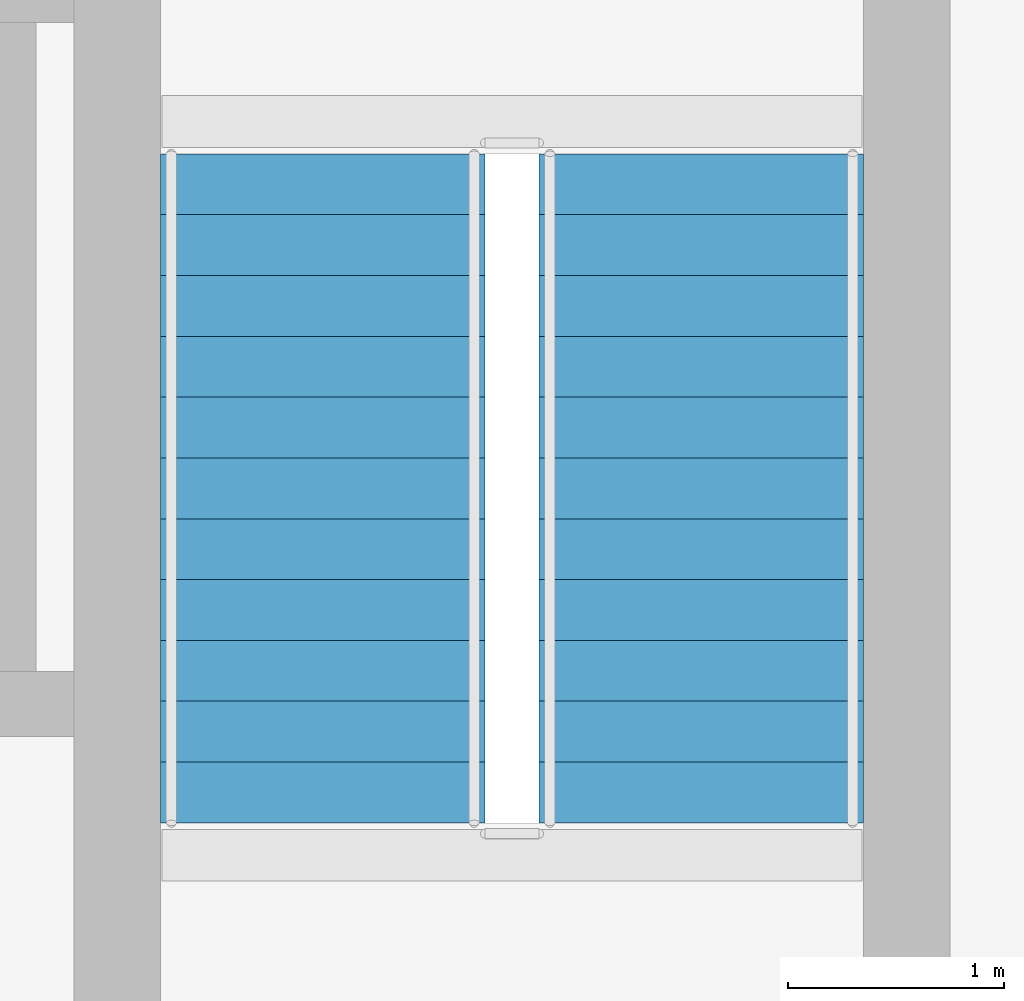
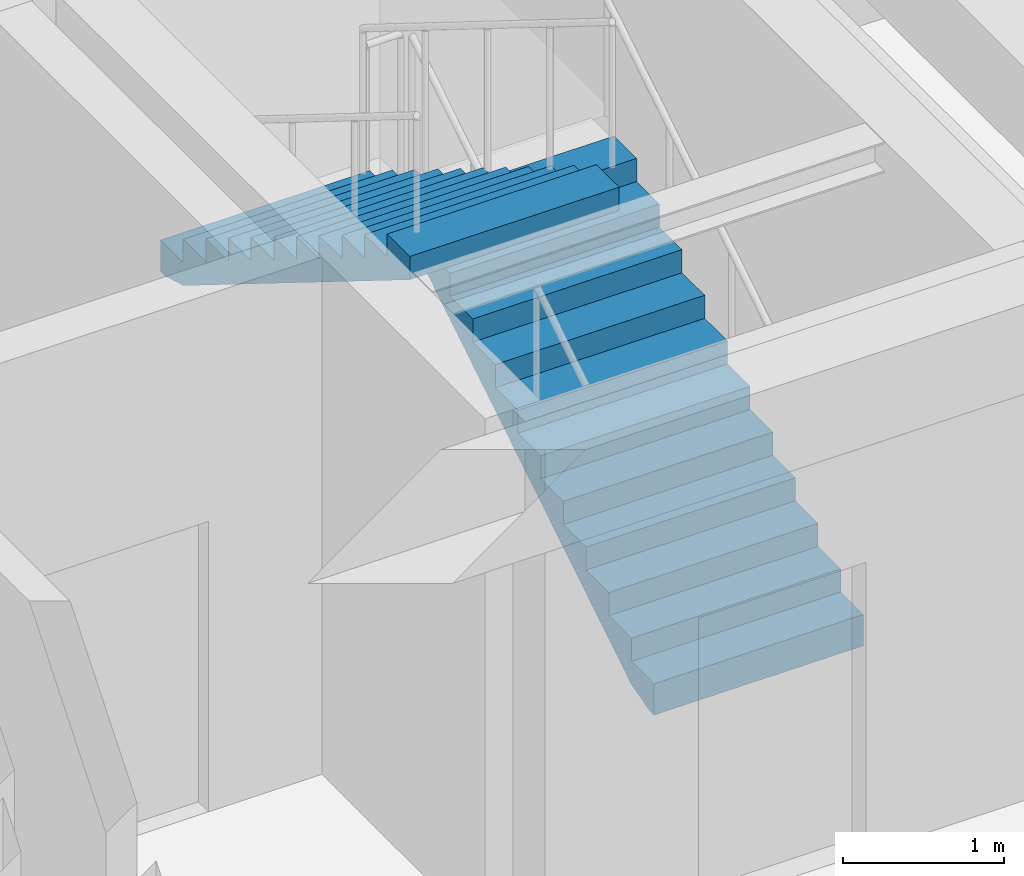
# One storey, part 11 of 17: 2 stair flights, 1 element without a shape of its own.
"""IFC4 building model written with IfcOpenShell, lengths in metres."""

import ifcopenshell
import ifcopenshell.guid

model = None  # the IFC model being written
_history = None  # IfcOwnerHistory: only IFC2X3 demands one
_inside = {}  # id of a spatial element -> (the spatial element, [elements in it])
_under = {}  # id of a project, library or spatial element -> (it, [spatial elements below it])
_declared = {}  # id of a project -> (the project, [libraries it declares])
_typed = {}  # id of a type object -> (the type object, [elements of that type])
_made_of = {}  # id of a material, layer set ... -> (it, [elements and type objects made of it])


def new_model(schema):
    """Start an empty IFC model of exactly this schema.

    Asked for "IFC4X3", IfcOpenShell would pick the latest addendum, in which some entities
    have other attributes; the version numbers below select the first issue.
    IFC2X3 requires an IfcOwnerHistory on every rooted entity: one is made here for all.
    """
    global model, _history
    if schema == "IFC4X3":
        model = ifcopenshell.file(schema_version=(4, 3, 0, 0))
    else:
        model = ifcopenshell.file(schema=schema)
    _inside.clear()
    _under.clear()
    _declared.clear()
    _typed.clear()
    _made_of.clear()
    _history = None
    if model.schema == "IFC2X3":
        org = make("IfcOrganization", Name="unknown")
        user = make(
            "IfcPersonAndOrganization",
            ThePerson=make("IfcPerson", FamilyName="unknown"),
            TheOrganization=org,
        )
        app = make(
            "IfcApplication",
            ApplicationDeveloper=org,
            Version="unknown",
            ApplicationFullName="unknown",
            ApplicationIdentifier="unknown",
        )
        _history = make(
            "IfcOwnerHistory",
            OwningUser=user,
            OwningApplication=app,
            ChangeAction="ADDED",
            CreationDate=0,
        )
    return model


def make(cls, **values):
    """One entity of the class cls with the attributes given. An attribute that is None is left unset."""
    return model.create_entity(
        cls, **{name: value for name, value in values.items() if value is not None}
    )


def rooted(cls, **values):
    """An entity with a GlobalId (a new one), such as an element, a storey or a relation."""
    return make(cls, GlobalId=ifcopenshell.guid.new(), OwnerHistory=_history, **values)


def si_unit(unit_type, name, prefix=None):
    """IfcSIUnit, for example si_unit("LENGTHUNIT", "METRE", prefix="MILLI")."""
    return make("IfcSIUnit", UnitType=unit_type, Prefix=prefix, Name=name)


def assignment(units):
    """IfcUnitAssignment: the units of a project."""
    return None if units is None else make("IfcUnitAssignment", Units=units)


def point(xyz):
    """IfcCartesianPoint."""
    return None if xyz is None else make("IfcCartesianPoint", Coordinates=xyz)


def direction(xyz):
    """IfcDirection."""
    return None if xyz is None else make("IfcDirection", DirectionRatios=xyz)


def frame(location, z_axis=None, x_axis=None):
    """IfcAxis2Placement3D, a coordinate frame: its origin and axes. An axis left out is left unset."""
    return make(
        "IfcAxis2Placement3D",
        Location=point(location),
        Axis=direction(z_axis),
        RefDirection=direction(x_axis),
    )


def origin():
    """The frame at (0, 0, 0) with its axes left unset."""
    return frame((0.0, 0.0, 0.0))


def place(relative_to, where):
    """IfcLocalPlacement: puts the frame where relative to a parent placement (None: the world)."""
    return make(
        "IfcLocalPlacement", PlacementRelTo=relative_to, RelativePlacement=where
    )


def context(
    kind, dimensions, precision=None, world=None, true_north=None, identifier=None
):
    """IfcGeometricRepresentationContext, for example the 3D "Model" context."""
    return make(
        "IfcGeometricRepresentationContext",
        ContextIdentifier=identifier,
        ContextType=kind,
        CoordinateSpaceDimension=dimensions,
        Precision=precision,
        WorldCoordinateSystem=world,
        TrueNorth=true_north,
    )


def subcontext(parent, identifier, kind, view, scale=None):
    """IfcGeometricRepresentationSubContext, for example "Body" below "Model"."""
    return make(
        "IfcGeometricRepresentationSubContext",
        ContextIdentifier=identifier,
        ContextType=kind,
        ParentContext=parent,
        TargetScale=scale,
        TargetView=view,
    )


def project(units=None, contexts=None):
    """IfcProject with its units and contexts."""
    return rooted(
        "IfcProject",
        Name="project",
        RepresentationContexts=contexts,
        UnitsInContext=assignment(units),
    )


def spatial(cls, under=None, at=None, **own):
    """A site, building, storey or space (cls), placed at a placement, below another one or the project."""
    s = rooted(cls, ObjectPlacement=at, **own)
    if under is not None:
        _under.setdefault(under.id(), (under, []))[1].append(s)
    return s


def polyline(points):
    """IfcPolyline through the points."""
    return make("IfcPolyline", Points=[point(p) for p in points])


def outline(outer, holes=None, kind="AREA"):
    """IfcArbitraryClosedProfileDef: a profile drawn as a closed curve; with holes, ...WithVoids."""
    if holes is None:
        return make("IfcArbitraryClosedProfileDef", ProfileType=kind, OuterCurve=outer)
    return make(
        "IfcArbitraryProfileDefWithVoids",
        ProfileType=kind,
        OuterCurve=outer,
        InnerCurves=holes,
    )


def extrude(swept, where, along, depth):
    """IfcExtrudedAreaSolid: the profile swept, set in the frame where, extruded along a direction by depth."""
    return make(
        "IfcExtrudedAreaSolid",
        SweptArea=swept,
        Position=where,
        ExtrudedDirection=direction(along),
        Depth=depth,
    )


def shape(context_of_items, identifier, shape_type, items):
    """IfcShapeRepresentation: the items that make up one representation, for example the "Body"."""
    return make(
        "IfcShapeRepresentation",
        ContextOfItems=context_of_items,
        RepresentationIdentifier=identifier,
        RepresentationType=shape_type,
        Items=items,
    )


def material(Name=None, Category=None):
    """IfcMaterial."""
    return make("IfcMaterial", Name=Name, Category=Category)


def made_of(thing, what):
    """Note that an element or type object is made of a material, layer set ...; save() writes the relation."""
    if what is not None:
        _made_of.setdefault(what.id(), (what, []))[1].append(thing)
    return thing


def type_object(cls, material=None, **own):
    """A type object (cls), such as IfcWallType, which elements share."""
    return made_of(rooted(cls, **own), material)


def element(
    cls,
    number,
    at=None,
    inside=None,
    cuts=None,
    type_object=None,
    material=None,
    context=None,
    identifier="Body",
    shape_type=None,
    held_by="IfcProductDefinitionShape",
    body=None,
    shapes=None,
    **own,
):
    """One element of the class cls, such as IfcWall. Its Tag is "e" and its number.

    at: its placement. inside: the storey or other place that contains it. cuts: it is an
    opening in that element (IfcRelVoidsElement). A single representation is given by context,
    identifier, shape_type and body (its items); several are given by shapes. held_by: the class
    of the entity that holds the representations. save() writes the other relations.
    """
    e = rooted(cls, Tag="e%d" % number, ObjectPlacement=at, **own)
    if body is not None:
        shapes = [shape(context, identifier, shape_type, body)]
    if shapes is not None:
        e.Representation = make(held_by, Representations=shapes)
    if inside is not None:
        _inside.setdefault(inside.id(), (inside, []))[1].append(e)
    if cuts is not None:
        rooted(
            "IfcRelVoidsElement", RelatingBuildingElement=cuts, RelatedOpeningElement=e
        )
    if type_object is not None:
        _typed.setdefault(type_object.id(), (type_object, []))[1].append(e)
    return made_of(e, material)


def aggregate(whole, parts):
    """IfcRelAggregates: a whole, such as a stair, and the parts it consists of."""
    return rooted("IfcRelAggregates", RelatingObject=whole, RelatedObjects=parts)


def save(model, path):
    """Write the relations noted so far, then the file.

    IfcRelAggregates (storeys below a building ...), IfcRelContainedInSpatialStructure (elements
    in a storey), IfcRelDefinesByType, IfcRelAssociatesMaterial and IfcRelDeclares: one each for
    every whole, place, type object, material and project.
    """
    for whole, parts in _under.values():
        aggregate(whole, parts)
    for where, things in _inside.values():
        rooted(
            "IfcRelContainedInSpatialStructure",
            RelatedElements=things,
            RelatingStructure=where,
        )
    for kind, things in _typed.values():
        rooted("IfcRelDefinesByType", RelatedObjects=things, RelatingType=kind)
    for what, things in _made_of.values():
        rooted("IfcRelAssociatesMaterial", RelatedObjects=things, RelatingMaterial=what)
    for by, libraries in _declared.values():
        rooted("IfcRelDeclares", RelatingContext=by, RelatedDefinitions=libraries)
    model.write(path)


model = new_model("IFC4")

# Units and contexts
model_context = context("Model", 3, precision=1e-05, world=origin(), true_north=direction((0.0, 1.0)))
body_context = subcontext(model_context, "Body", "Model", "MODEL_VIEW")
ifc_project = project(units=[si_unit("LENGTHUNIT", "METRE"), si_unit("AREAUNIT", "SQUARE_METRE"), si_unit("VOLUMEUNIT", "CUBIC_METRE"), si_unit("PLANEANGLEUNIT", "RADIAN"), si_unit("MASSUNIT", "GRAM", prefix="KILO")], contexts=[model_context])

# Site, building, storey
site_placement = place(None, origin())
site = spatial("IfcSite", under=ifc_project, at=site_placement, CompositionType="ELEMENT")
building_placement = place(site_placement, origin())
building = spatial("IfcBuilding", under=site, at=building_placement, Name="Bempovik Park Faculty of Sciences", CompositionType="ELEMENT")
storey_placement = place(building_placement, frame((0.0, 0.0, 22.5)))
storey = spatial("IfcBuildingStorey", under=building, at=storey_placement, Name="L05", CompositionType="ELEMENT", Elevation=22.5)

# Stair, stair flights
ifc_material = material(Name="Concrete C35/45", Category="concrete")
stair_type = type_object("IfcStairType", Name="ST-16 Stair W1500 H4200", PredefinedType="HALF_TURN_STAIR", material=ifc_material)
stair_placement = place(storey_placement, origin())
stair = element("IfcStair", 1, at=stair_placement, inside=storey, type_object=stair_type, Name="L05 ST-2 Dog-Leg Exit Stair", PredefinedType="HALF_TURN_STAIR")
stair_flight_type = type_object("IfcStairFlightType", Name="FL-13 Flight W1500 H4200", PredefinedType="STRAIGHT", material=ifc_material)
stair_flight_1_placement = place(storey_placement, frame((105.875, 113.0, 0.0), z_axis=(0.0, 0.0, 1.0), x_axis=(0.0, 1.0, 0.0)))
stair_flight_1 = element("IfcStairFlight", 2, at=stair_flight_1_placement, type_object=stair_flight_type, Name="ST-16 flight 1", NumberOfRisers=12, NumberOfTreads=11, PredefinedType="STRAIGHT", RiserHeight=0.175, TreadLength=0.28125, context=body_context, shape_type="SweptSolid", body=[
    extrude(outline(polyline([(0.0, 0.0), (0.0, 0.175048828125), (0.28125, 0.175048828125), (0.28125, 0.35009765625), (0.5625, 0.35009765625), (0.5625, 0.52490234375), (0.84375, 0.52490234375), (0.84375, 0.699951171875), (1.125, 0.699951171875), (1.125, 0.875), (1.40625, 0.875), (1.40625, 1.050048828125), (1.6875, 1.050048828125), (1.6875, 1.22509765625), (1.96875, 1.22509765625), (1.96875, 1.39990234375), (2.25, 1.39990234375), (2.25, 1.574951171875), (2.53125, 1.574951171875), (2.53125, 1.75), (2.8125, 1.75), (2.8125, 1.925048828125), (3.09375, 1.925048828125), (3.09375, 2.10009765625), (3.09375, 1.74853515625), (0.28369140625, 0.0), (0.0625, -0.0625), (0.0, -0.0625), (0.0, 0.0)])), frame((0.0, 0.75, 0.0), z_axis=(0.0, -1.0, 0.0), x_axis=(1.0, 0.0, 0.0)), (0.0, 0.0, 1.0), 1.5),
])
stair_flight_2_placement = place(storey_placement, frame((104.125, 116.09375, 2.10009765625), z_axis=(0.0, 0.0, 1.0), x_axis=(0.0, -1.0, 0.0)))
stair_flight_2 = element("IfcStairFlight", 3, at=stair_flight_2_placement, type_object=stair_flight_type, Name="ST-16 flight 2", NumberOfRisers=12, NumberOfTreads=11, PredefinedType="STRAIGHT", RiserHeight=0.175, TreadLength=0.28125, context=body_context, shape_type="SweptSolid", body=[
    extrude(outline(polyline([(0.0, 0.0), (0.0, 0.175048828125), (0.28125, 0.175048828125), (0.28125, 0.35009765625), (0.5625, 0.35009765625), (0.5625, 0.52490234375), (0.84375, 0.52490234375), (0.84375, 0.699951171875), (1.125, 0.699951171875), (1.125, 0.875), (1.40625, 0.875), (1.40625, 1.050048828125), (1.6875, 1.050048828125), (1.6875, 1.22509765625), (1.96875, 1.22509765625), (1.96875, 1.39990234375), (2.25, 1.39990234375), (2.25, 1.574951171875), (2.53125, 1.574951171875), (2.53125, 1.75), (2.8125, 1.75), (2.8125, 1.925048828125), (3.09375, 1.925048828125), (3.09375, 2.10009765625), (3.09375, 1.74853515625), (0.28369140625, 0.0), (0.0625, -0.0625), (0.0, -0.0625), (0.0, 0.0)])), frame((0.0, 0.75, 0.0), z_axis=(0.0, -1.0, 0.0), x_axis=(1.0, 0.0, 0.0)), (0.0, 0.0, 1.0), 1.5),
])
aggregate(stair, [stair_flight_1, stair_flight_2])

save(model, "model.ifc")
